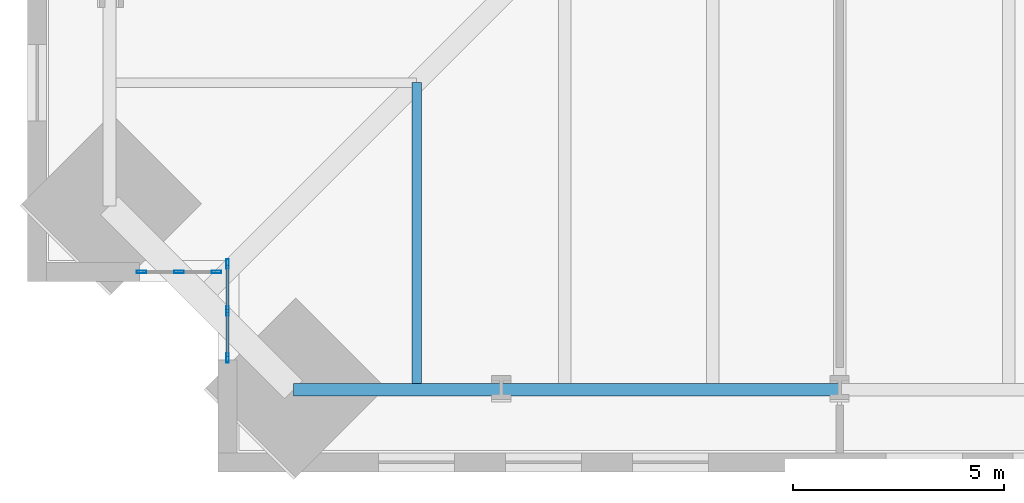
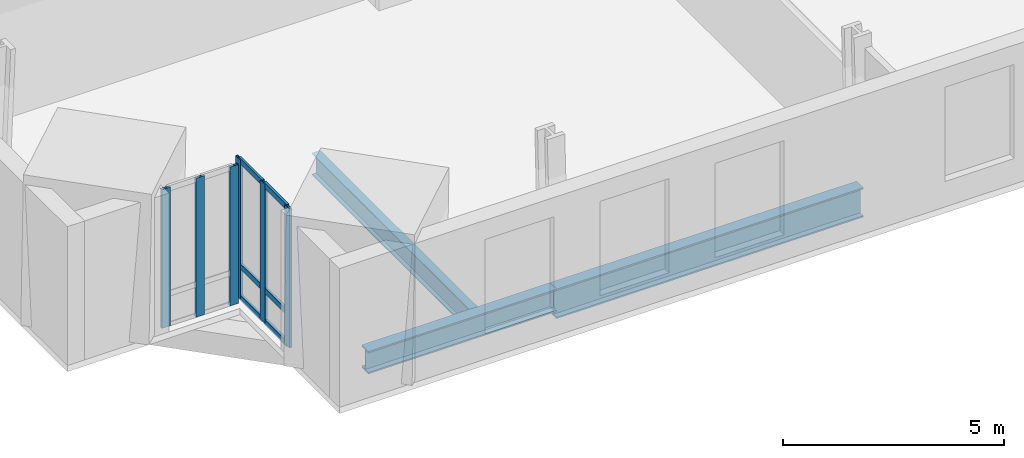
# One storey, part 2 of 16: 12 members, 3 beams, 2 elements without a shape of their own.
"""IFC4 building model written with IfcOpenShell, lengths in metres."""

from ifc_helpers import new_model, si_unit, direction, frame, origin, origin_2d, place, context, subcontext, project, spatial, hollow_rectangle, i_section, extrude, material, material_profile, profile_set, type_object, element, aggregate, save


model = new_model("IFC4")

# Units and contexts
model_context = context("Model", 3, precision=1e-05, world=origin(), true_north=direction((0.0, 1.0)))
body_context = subcontext(model_context, "Body", "Model", "MODEL_VIEW")
ifc_project = project(units=[si_unit("LENGTHUNIT", "METRE"), si_unit("AREAUNIT", "SQUARE_METRE"), si_unit("VOLUMEUNIT", "CUBIC_METRE"), si_unit("PLANEANGLEUNIT", "RADIAN"), si_unit("MASSUNIT", "GRAM", prefix="KILO")], contexts=[model_context])

# Site, building, storey
site_placement = place(None, origin())
site = spatial("IfcSite", under=ifc_project, at=site_placement, CompositionType="ELEMENT")
building_placement = place(site_placement, origin())
building = spatial("IfcBuilding", under=site, at=building_placement, Name="Peilmerk Tower", CompositionType="ELEMENT")
storey_placement = place(building_placement, frame((0.0, 0.0, 139.800048828125)))
storey = spatial("IfcBuildingStorey", under=building, at=storey_placement, Name="L28", CompositionType="ELEMENT", Elevation=139.800048828125)

# Beams
ifc_material_1 = material(Name="Steel S355", Category="steel")
ifc_material_profile_1 = material_profile(ifc_material_1, i_section(OverallWidth=0.219970703125, OverallDepth=0.60009765625, WebThickness=0.011962890625, FlangeThickness=0.01904296875, at=origin_2d()), Name="IPE 600")
ifc_profile_set_1 = profile_set([ifc_material_profile_1], Name="Steel S355")
beam_type_1 = type_object("IfcBeamType", Name="B10 IPE 600 floor beam", PredefinedType="BEAM", material=ifc_profile_set_1)
beam_1_placement = place(storey_placement, frame((-18.0, -18.0, -0.469970703125), z_axis=(0.0, -1.0, 0.0), x_axis=(1.0, 0.0, 0.0)))
element("IfcBeam", 1, at=beam_1_placement, inside=storey, type_object=beam_type_1, Name="Floor beam L28", PredefinedType="BEAM", context=body_context, shape_type="SweptSolid", body=[
    extrude(i_section(OverallWidth=0.219970703125, OverallDepth=0.60009765625, WebThickness=0.011962890625, FlangeThickness=0.01904296875, at=origin_2d()), origin(), (0.0, 0.0, 1.0), 7.259765625),
])
ifc_material_profile_2 = material_profile(ifc_material_1, i_section(OverallWidth=0.302978515625, OverallDepth=0.81396484375, WebThickness=0.02099609375, FlangeThickness=0.0400390625, at=origin_2d()), Name="HEM 800")
ifc_profile_set_2 = profile_set([ifc_material_profile_2], Name="Steel S355")
beam_type_2 = type_object("IfcBeamType", Name="B15 HEM 800 edge beam", PredefinedType="SPANDREL", material=ifc_profile_set_2)
beam_2_placement = place(storey_placement, frame((-16.0, -25.259765625, -0.5771484375), z_axis=(1.0, 0.0, 0.0), x_axis=(0.0, 1.0, 0.0)))
element("IfcBeam", 2, at=beam_2_placement, inside=storey, type_object=beam_type_2, Name="Edge beam L28", PredefinedType="SPANDREL", context=body_context, shape_type="SweptSolid", body=[
    extrude(i_section(OverallWidth=0.302978515625, OverallDepth=0.81396484375, WebThickness=0.02099609375, FlangeThickness=0.0400390625, at=origin_2d()), origin(), (0.0, 0.0, 1.0), 8.0),
])
ifc_material_profile_3 = material_profile(ifc_material_1, i_section(OverallWidth=0.304931640625, OverallDepth=0.6201171875, WebThickness=0.02099609375, FlangeThickness=0.0400390625, at=origin_2d()), Name="HEM 600")
ifc_profile_set_3 = profile_set([ifc_material_profile_3], Name="Steel S355")
beam_type_3 = type_object("IfcBeamType", Name="B31 HEM 600 edge beam", PredefinedType="SPANDREL", material=ifc_profile_set_3)
beam_3_placement = place(storey_placement, frame((-20.90966796875, -25.259765625, -0.47998046875), z_axis=(1.0, 0.0, 0.0), x_axis=(0.0, 1.0, 0.0)))
element("IfcBeam", 3, at=beam_3_placement, inside=storey, type_object=beam_type_3, Name="Edge beam L28", PredefinedType="SPANDREL", context=body_context, shape_type="SweptSolid", body=[
    extrude(i_section(OverallWidth=0.304931640625, OverallDepth=0.6201171875, WebThickness=0.02099609375, FlangeThickness=0.0400390625, at=origin_2d()), origin(), (0.0, 0.0, 1.0), 4.90966796875),
])

# Curtain wall, members
ifc_material_2 = material(Name="Aluminium stick curtain wall", Category="aluminium")
curtain_wall_type = type_object("IfcCurtainWallType", Name="CW3 stick curtain wall, 2250 module", PredefinedType="NOTDEFINED", material=ifc_material_2)
curtain_wall_1_placement = place(storey_placement, origin())
curtain_wall_1 = element("IfcCurtainWall", 4, at=curtain_wall_1_placement, inside=storey, type_object=curtain_wall_type, Name="Curtain wall CW3 SWA L28", PredefinedType="NOTDEFINED")
ifc_material_3 = material(Name="Aluminium EN AW-6063 T6", Category="aluminium")
ifc_material_profile_4 = material_profile(ifc_material_3, hollow_rectangle(XDim=0.06494140625, YDim=0.22509765625, WallThickness=0.00390625, at=origin_2d()), Name="AL 225x65x4")
ifc_profile_set_4 = profile_set([ifc_material_profile_4], Name="Aluminium EN AW-6063 T6")
member_type_1 = type_object("IfcMemberType", Name="CW3-M AL 225x65x4 mullion", PredefinedType="MULLION", material=ifc_profile_set_4)
member_1_placement = place(storey_placement, frame((-22.47509765625, -22.282470703125, 0.0), z_axis=(0.0, 0.0, 1.0), x_axis=(1.0, 0.0, 0.0)))
member_1 = element("IfcMember", 5, at=member_1_placement, type_object=member_type_1, Name="CW3 mullion 1", PredefinedType="MULLION", context=body_context, shape_type="SweptSolid", body=[
    extrude(hollow_rectangle(XDim=0.06494140625, YDim=0.22509765625, WallThickness=0.00390625, at=origin_2d()), origin(), (0.0, 0.0, 1.0), 3.829833984375),
])
member_2_placement = place(storey_placement, frame((-22.47509765625, -23.394287109375, 0.0), z_axis=(0.0, 0.0, 1.0), x_axis=(1.0, 0.0, 0.0)))
member_2 = element("IfcMember", 6, at=member_2_placement, type_object=member_type_1, Name="CW3 mullion 2", PredefinedType="MULLION", context=body_context, shape_type="SweptSolid", body=[
    extrude(hollow_rectangle(XDim=0.06494140625, YDim=0.22509765625, WallThickness=0.00390625, at=origin_2d()), origin(), (0.0, 0.0, 1.0), 3.829833984375),
])
member_3_placement = place(storey_placement, frame((-22.47509765625, -24.506103515625, 0.0), z_axis=(0.0, 0.0, 1.0), x_axis=(1.0, 0.0, 0.0)))
member_3 = element("IfcMember", 7, at=member_3_placement, type_object=member_type_1, Name="CW3 mullion 3", PredefinedType="MULLION", context=body_context, shape_type="SweptSolid", body=[
    extrude(hollow_rectangle(XDim=0.06494140625, YDim=0.22509765625, WallThickness=0.00390625, at=origin_2d()), origin(), (0.0, 0.0, 1.0), 3.829833984375),
])

curtain_wall_2_placement = place(storey_placement, origin())
curtain_wall_2 = element("IfcCurtainWall", 8, at=curtain_wall_2_placement, inside=storey, type_object=curtain_wall_type, Name="Curtain wall CW3 SWB L28", PredefinedType="NOTDEFINED")
member_4_placement = place(storey_placement, frame((-22.732421875, -22.47509765625, 0.0), z_axis=(0.0, 0.0, 1.0), x_axis=(0.0, -1.0, 0.0)))
member_4 = element("IfcMember", 9, at=member_4_placement, type_object=member_type_1, Name="CW3 mullion 1", PredefinedType="MULLION", context=body_context, shape_type="SweptSolid", body=[
    extrude(hollow_rectangle(XDim=0.06494140625, YDim=0.22509765625, WallThickness=0.00390625, at=origin_2d()), origin(), (0.0, 0.0, 1.0), 3.829833984375),
])
member_5_placement = place(storey_placement, frame((-23.619384765625, -22.47509765625, 0.0), z_axis=(0.0, 0.0, 1.0), x_axis=(0.0, -1.0, 0.0)))
member_5 = element("IfcMember", 10, at=member_5_placement, type_object=member_type_1, Name="CW3 mullion 2", PredefinedType="MULLION", context=body_context, shape_type="SweptSolid", body=[
    extrude(hollow_rectangle(XDim=0.06494140625, YDim=0.22509765625, WallThickness=0.00390625, at=origin_2d()), origin(), (0.0, 0.0, 1.0), 3.829833984375),
])
member_6_placement = place(storey_placement, frame((-24.506103515625, -22.47509765625, 0.0), z_axis=(0.0, 0.0, 1.0), x_axis=(0.0, -1.0, 0.0)))
member_6 = element("IfcMember", 11, at=member_6_placement, type_object=member_type_1, Name="CW3 mullion 3", PredefinedType="MULLION", context=body_context, shape_type="SweptSolid", body=[
    extrude(hollow_rectangle(XDim=0.06494140625, YDim=0.22509765625, WallThickness=0.00390625, at=origin_2d()), origin(), (0.0, 0.0, 1.0), 3.829833984375),
])
aggregate(curtain_wall_2, [member_4, member_5, member_6])

# Member
ifc_material_profile_5 = material_profile(ifc_material_3, hollow_rectangle(XDim=0.06494140625, YDim=0.14990234375, WallThickness=0.0029296875, at=origin_2d()), Name="AL 150x65x3")
ifc_profile_set_5 = profile_set([ifc_material_profile_5], Name="Aluminium EN AW-6063 T6")
member_type_2 = type_object("IfcMemberType", Name="CW3-T AL 150x65x3 transom", PredefinedType="USERDEFINED", material=ifc_profile_set_5)
member_7_placement = place(storey_placement, frame((-22.47509765625, -22.31494140625, 0.032470703125), z_axis=(0.0, -1.0, 0.0), x_axis=(1.0, 0.0, 0.0)))
member_7 = element("IfcMember", 12, at=member_7_placement, type_object=member_type_2, Name="CW3 transom 1.1", ObjectType="TRANSOM", PredefinedType="USERDEFINED", context=body_context, shape_type="SweptSolid", body=[
    extrude(hollow_rectangle(XDim=0.06494140625, YDim=0.14990234375, WallThickness=0.0029296875, at=origin_2d()), origin(), (0.0, 0.0, 1.0), 1.046875),
])

member_8_placement = place(storey_placement, frame((-22.47509765625, -22.31494140625, 0.89990234375), z_axis=(0.0, -1.0, 0.0), x_axis=(1.0, 0.0, 0.0)))
member_8 = element("IfcMember", 13, at=member_8_placement, type_object=member_type_2, Name="CW3 transom 1.2", ObjectType="TRANSOM", PredefinedType="USERDEFINED", context=body_context, shape_type="SweptSolid", body=[
    extrude(hollow_rectangle(XDim=0.06494140625, YDim=0.14990234375, WallThickness=0.0029296875, at=origin_2d()), origin(), (0.0, 0.0, 1.0), 1.046875),
])

member_9_placement = place(storey_placement, frame((-22.47509765625, -22.31494140625, 3.79736328125), z_axis=(0.0, -1.0, 0.0), x_axis=(1.0, 0.0, 0.0)))
member_9 = element("IfcMember", 14, at=member_9_placement, type_object=member_type_2, Name="CW3 transom 1.3", ObjectType="TRANSOM", PredefinedType="USERDEFINED", context=body_context, shape_type="SweptSolid", body=[
    extrude(hollow_rectangle(XDim=0.06494140625, YDim=0.14990234375, WallThickness=0.0029296875, at=origin_2d()), origin(), (0.0, 0.0, 1.0), 1.046875),
])

member_10_placement = place(storey_placement, frame((-22.47509765625, -23.4267578125, 0.032470703125), z_axis=(0.0, -1.0, 0.0), x_axis=(1.0, 0.0, 0.0)))
member_10 = element("IfcMember", 15, at=member_10_placement, type_object=member_type_2, Name="CW3 transom 2.1", ObjectType="TRANSOM", PredefinedType="USERDEFINED", context=body_context, shape_type="SweptSolid", body=[
    extrude(hollow_rectangle(XDim=0.06494140625, YDim=0.14990234375, WallThickness=0.0029296875, at=origin_2d()), origin(), (0.0, 0.0, 1.0), 1.046875),
])

member_11_placement = place(storey_placement, frame((-22.47509765625, -23.4267578125, 0.89990234375), z_axis=(0.0, -1.0, 0.0), x_axis=(1.0, 0.0, 0.0)))
member_11 = element("IfcMember", 16, at=member_11_placement, type_object=member_type_2, Name="CW3 transom 2.2", ObjectType="TRANSOM", PredefinedType="USERDEFINED", context=body_context, shape_type="SweptSolid", body=[
    extrude(hollow_rectangle(XDim=0.06494140625, YDim=0.14990234375, WallThickness=0.0029296875, at=origin_2d()), origin(), (0.0, 0.0, 1.0), 1.046875),
])

member_12_placement = place(storey_placement, frame((-22.47509765625, -23.4267578125, 3.79736328125), z_axis=(0.0, -1.0, 0.0), x_axis=(1.0, 0.0, 0.0)))
member_12 = element("IfcMember", 17, at=member_12_placement, type_object=member_type_2, Name="CW3 transom 2.3", ObjectType="TRANSOM", PredefinedType="USERDEFINED", context=body_context, shape_type="SweptSolid", body=[
    extrude(hollow_rectangle(XDim=0.06494140625, YDim=0.14990234375, WallThickness=0.0029296875, at=origin_2d()), origin(), (0.0, 0.0, 1.0), 1.046875),
])

aggregate(curtain_wall_1, [member_1, member_2, member_3, member_7, member_8, member_9, member_10, member_11, member_12])

save(model, "model.ifc")
